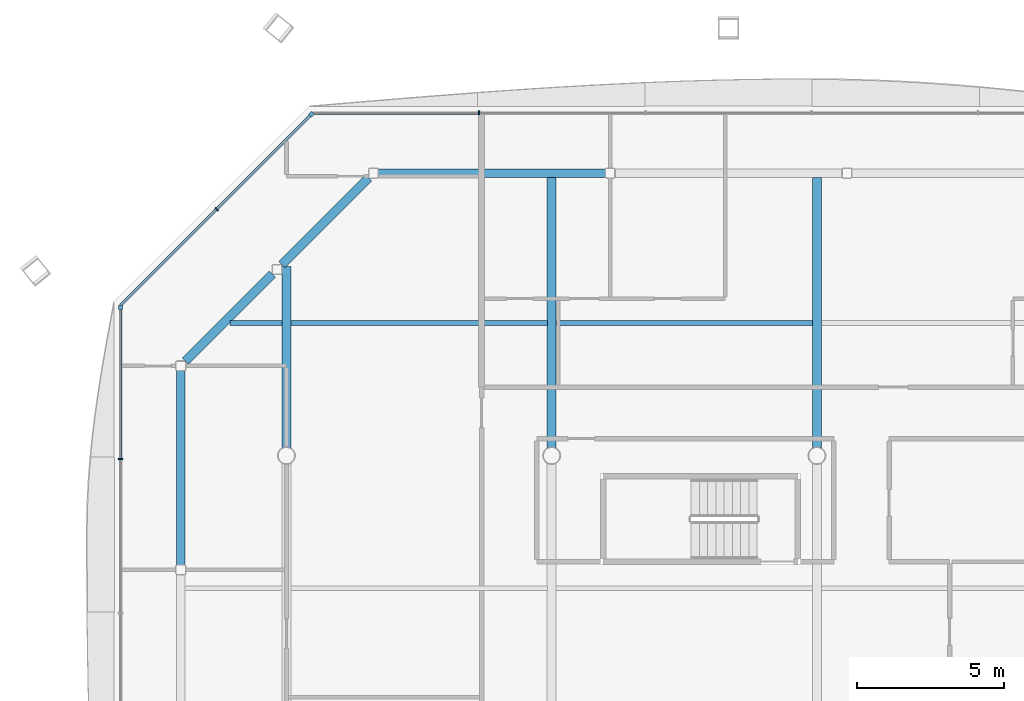
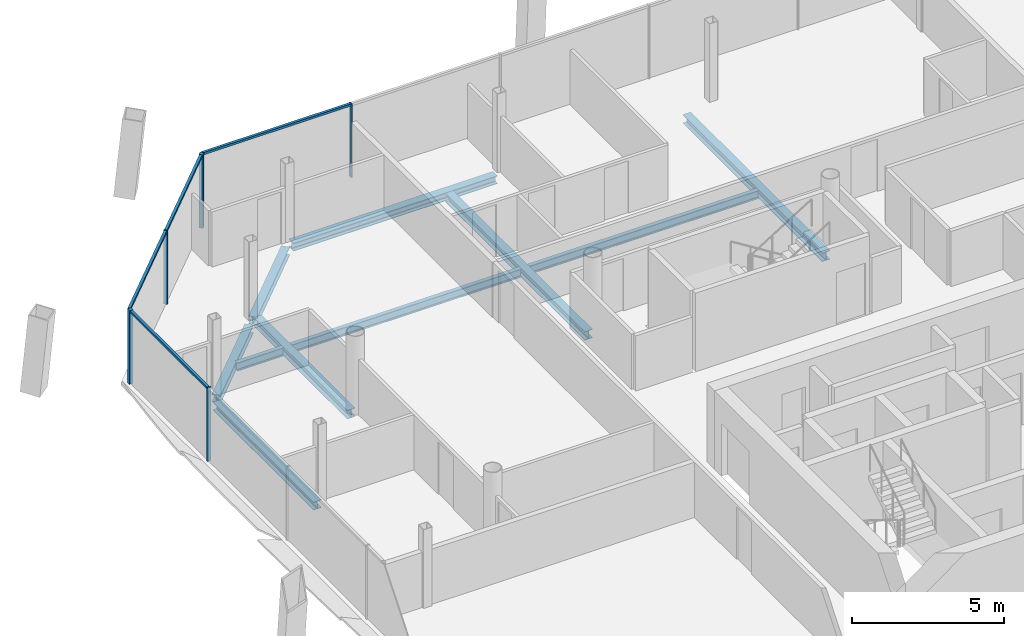
# One storey, part 10 of 20: 10 beams, 9 members, 3 elements without a shape of their own.
"""IFC4 building model written with IfcOpenShell, lengths in metres."""

import ifcopenshell
import ifcopenshell.guid

model = None  # the IFC model being written
_history = None  # IfcOwnerHistory: only IFC2X3 demands one
_inside = {}  # id of a spatial element -> (the spatial element, [elements in it])
_under = {}  # id of a project, library or spatial element -> (it, [spatial elements below it])
_declared = {}  # id of a project -> (the project, [libraries it declares])
_typed = {}  # id of a type object -> (the type object, [elements of that type])
_made_of = {}  # id of a material, layer set ... -> (it, [elements and type objects made of it])


def new_model(schema):
    """Start an empty IFC model of exactly this schema.

    Asked for "IFC4X3", IfcOpenShell would pick the latest addendum, in which some entities
    have other attributes; the version numbers below select the first issue.
    IFC2X3 requires an IfcOwnerHistory on every rooted entity: one is made here for all.
    """
    global model, _history
    if schema == "IFC4X3":
        model = ifcopenshell.file(schema_version=(4, 3, 0, 0))
    else:
        model = ifcopenshell.file(schema=schema)
    _inside.clear()
    _under.clear()
    _declared.clear()
    _typed.clear()
    _made_of.clear()
    _history = None
    if model.schema == "IFC2X3":
        org = make("IfcOrganization", Name="unknown")
        user = make(
            "IfcPersonAndOrganization",
            ThePerson=make("IfcPerson", FamilyName="unknown"),
            TheOrganization=org,
        )
        app = make(
            "IfcApplication",
            ApplicationDeveloper=org,
            Version="unknown",
            ApplicationFullName="unknown",
            ApplicationIdentifier="unknown",
        )
        _history = make(
            "IfcOwnerHistory",
            OwningUser=user,
            OwningApplication=app,
            ChangeAction="ADDED",
            CreationDate=0,
        )
    return model


def make(cls, **values):
    """One entity of the class cls with the attributes given. An attribute that is None is left unset."""
    return model.create_entity(
        cls, **{name: value for name, value in values.items() if value is not None}
    )


def rooted(cls, **values):
    """An entity with a GlobalId (a new one), such as an element, a storey or a relation."""
    return make(cls, GlobalId=ifcopenshell.guid.new(), OwnerHistory=_history, **values)


def si_unit(unit_type, name, prefix=None):
    """IfcSIUnit, for example si_unit("LENGTHUNIT", "METRE", prefix="MILLI")."""
    return make("IfcSIUnit", UnitType=unit_type, Prefix=prefix, Name=name)


def assignment(units):
    """IfcUnitAssignment: the units of a project."""
    return None if units is None else make("IfcUnitAssignment", Units=units)


def point(xyz):
    """IfcCartesianPoint."""
    return None if xyz is None else make("IfcCartesianPoint", Coordinates=xyz)


def direction(xyz):
    """IfcDirection."""
    return None if xyz is None else make("IfcDirection", DirectionRatios=xyz)


def frame(location, z_axis=None, x_axis=None):
    """IfcAxis2Placement3D, a coordinate frame: its origin and axes. An axis left out is left unset."""
    return make(
        "IfcAxis2Placement3D",
        Location=point(location),
        Axis=direction(z_axis),
        RefDirection=direction(x_axis),
    )


def frame_2d(location, x_axis=None):
    """IfcAxis2Placement2D, a coordinate frame in the plane: its origin and x axis."""
    return make(
        "IfcAxis2Placement2D", Location=point(location), RefDirection=direction(x_axis)
    )


def origin():
    """The frame at (0, 0, 0) with its axes left unset."""
    return frame((0.0, 0.0, 0.0))


def origin_2d():
    """The frame at (0, 0) in the plane with its x axis left unset."""
    return frame_2d((0.0, 0.0))


def place(relative_to, where):
    """IfcLocalPlacement: puts the frame where relative to a parent placement (None: the world)."""
    return make(
        "IfcLocalPlacement", PlacementRelTo=relative_to, RelativePlacement=where
    )


def context(
    kind, dimensions, precision=None, world=None, true_north=None, identifier=None
):
    """IfcGeometricRepresentationContext, for example the 3D "Model" context."""
    return make(
        "IfcGeometricRepresentationContext",
        ContextIdentifier=identifier,
        ContextType=kind,
        CoordinateSpaceDimension=dimensions,
        Precision=precision,
        WorldCoordinateSystem=world,
        TrueNorth=true_north,
    )


def subcontext(parent, identifier, kind, view, scale=None):
    """IfcGeometricRepresentationSubContext, for example "Body" below "Model"."""
    return make(
        "IfcGeometricRepresentationSubContext",
        ContextIdentifier=identifier,
        ContextType=kind,
        ParentContext=parent,
        TargetScale=scale,
        TargetView=view,
    )


def project(units=None, contexts=None):
    """IfcProject with its units and contexts."""
    return rooted(
        "IfcProject",
        Name="project",
        RepresentationContexts=contexts,
        UnitsInContext=assignment(units),
    )


def spatial(cls, under=None, at=None, **own):
    """A site, building, storey or space (cls), placed at a placement, below another one or the project."""
    s = rooted(cls, ObjectPlacement=at, **own)
    if under is not None:
        _under.setdefault(under.id(), (under, []))[1].append(s)
    return s


def profile(cls, at=None, kind="AREA", **sizes):
    """A parametric profile (cls). Its sizes go by their IFC names, for example OverallWidth=200.0."""
    return make(cls, ProfileType=kind, Position=at, **sizes)


def rectangle(**sizes):
    """IfcRectangleProfileDef."""
    return profile("IfcRectangleProfileDef", **sizes)


def i_section(**sizes):
    """IfcIShapeProfileDef."""
    return profile("IfcIShapeProfileDef", **sizes)


def extrude(swept, where, along, depth):
    """IfcExtrudedAreaSolid: the profile swept, set in the frame where, extruded along a direction by depth."""
    return make(
        "IfcExtrudedAreaSolid",
        SweptArea=swept,
        Position=where,
        ExtrudedDirection=direction(along),
        Depth=depth,
    )


def shape(context_of_items, identifier, shape_type, items):
    """IfcShapeRepresentation: the items that make up one representation, for example the "Body"."""
    return make(
        "IfcShapeRepresentation",
        ContextOfItems=context_of_items,
        RepresentationIdentifier=identifier,
        RepresentationType=shape_type,
        Items=items,
    )


def material(Name=None, Category=None):
    """IfcMaterial."""
    return make("IfcMaterial", Name=Name, Category=Category)


def material_profile(
    of_material, cross_section, Name=None, Category=None, Priority=None
):
    """IfcMaterialProfile: a cross section and its material."""
    return make(
        "IfcMaterialProfile",
        Name=Name,
        Material=of_material,
        Profile=cross_section,
        Priority=Priority,
        Category=Category,
    )


def profile_set(profiles, Name=None, composite=None):
    """IfcMaterialProfileSet."""
    return make(
        "IfcMaterialProfileSet",
        Name=Name,
        MaterialProfiles=profiles,
        CompositeProfile=composite,
    )


def made_of(thing, what):
    """Note that an element or type object is made of a material, layer set ...; save() writes the relation."""
    if what is not None:
        _made_of.setdefault(what.id(), (what, []))[1].append(thing)
    return thing


def type_object(cls, material=None, **own):
    """A type object (cls), such as IfcWallType, which elements share."""
    return made_of(rooted(cls, **own), material)


def element(
    cls,
    number,
    at=None,
    inside=None,
    cuts=None,
    type_object=None,
    material=None,
    context=None,
    identifier="Body",
    shape_type=None,
    held_by="IfcProductDefinitionShape",
    body=None,
    shapes=None,
    **own,
):
    """One element of the class cls, such as IfcWall. Its Tag is "e" and its number.

    at: its placement. inside: the storey or other place that contains it. cuts: it is an
    opening in that element (IfcRelVoidsElement). A single representation is given by context,
    identifier, shape_type and body (its items); several are given by shapes. held_by: the class
    of the entity that holds the representations. save() writes the other relations.
    """
    e = rooted(cls, Tag="e%d" % number, ObjectPlacement=at, **own)
    if body is not None:
        shapes = [shape(context, identifier, shape_type, body)]
    if shapes is not None:
        e.Representation = make(held_by, Representations=shapes)
    if inside is not None:
        _inside.setdefault(inside.id(), (inside, []))[1].append(e)
    if cuts is not None:
        rooted(
            "IfcRelVoidsElement", RelatingBuildingElement=cuts, RelatedOpeningElement=e
        )
    if type_object is not None:
        _typed.setdefault(type_object.id(), (type_object, []))[1].append(e)
    return made_of(e, material)


def aggregate(whole, parts):
    """IfcRelAggregates: a whole, such as a stair, and the parts it consists of."""
    return rooted("IfcRelAggregates", RelatingObject=whole, RelatedObjects=parts)


def save(model, path):
    """Write the relations noted so far, then the file.

    IfcRelAggregates (storeys below a building ...), IfcRelContainedInSpatialStructure (elements
    in a storey), IfcRelDefinesByType, IfcRelAssociatesMaterial and IfcRelDeclares: one each for
    every whole, place, type object, material and project.
    """
    for whole, parts in _under.values():
        aggregate(whole, parts)
    for where, things in _inside.values():
        rooted(
            "IfcRelContainedInSpatialStructure",
            RelatedElements=things,
            RelatingStructure=where,
        )
    for kind, things in _typed.values():
        rooted("IfcRelDefinesByType", RelatedObjects=things, RelatingType=kind)
    for what, things in _made_of.values():
        rooted("IfcRelAssociatesMaterial", RelatedObjects=things, RelatingMaterial=what)
    for by, libraries in _declared.values():
        rooted("IfcRelDeclares", RelatingContext=by, RelatedDefinitions=libraries)
    model.write(path)


model = new_model("IFC4")

# Units and contexts
model_context = context("Model", 3, precision=1e-05, world=origin(), true_north=direction((0.0, 1.0)))
body_context = subcontext(model_context, "Body", "Model", "MODEL_VIEW")
ifc_project = project(units=[si_unit("LENGTHUNIT", "METRE"), si_unit("AREAUNIT", "SQUARE_METRE"), si_unit("VOLUMEUNIT", "CUBIC_METRE"), si_unit("PLANEANGLEUNIT", "RADIAN"), si_unit("MASSUNIT", "GRAM", prefix="KILO")], contexts=[model_context])

# Site, building, storey
site_placement = place(None, origin())
site = spatial("IfcSite", under=ifc_project, at=site_placement, CompositionType="ELEMENT")
building_placement = place(site_placement, origin())
building = spatial("IfcBuilding", under=site, at=building_placement, Name="Tskaro Facet Tower", CompositionType="ELEMENT")
storey_placement = place(building_placement, frame((0.0, 0.0, 184.800048828125)))
storey = spatial("IfcBuildingStorey", under=building, at=storey_placement, Name="L46", CompositionType="ELEMENT", Elevation=184.800048828125)

# Curtain wall, member
ifc_material_1 = material(Name="Bronze anodised aluminium 6063-T6", Category="aluminium")
curtain_wall_type = type_object("IfcCurtainWallType", Name="Bronze residence curtain wall (FW3)", PredefinedType="NOTDEFINED", material=ifc_material_1)
curtain_wall_1_placement = place(storey_placement, origin())
curtain_wall_1 = element("IfcCurtainWall", 1, at=curtain_wall_1_placement, inside=storey, type_object=curtain_wall_type, Name="FW3 north-west facet L46", PredefinedType="NOTDEFINED")
ifc_material_profile_1 = material_profile(ifc_material_1, rectangle(XDim=0.139892578125, YDim=0.139892578125, at=origin_2d()), Name="Corner post 140x140")
ifc_profile_set_1 = profile_set([ifc_material_profile_1], Name="Bronze anodised aluminium 6063-T6")
member_type_1 = type_object("IfcMemberType", Name="FW3 bronze corner post 140x140", PredefinedType="MULLION", material=ifc_profile_set_1)
member_1_placement = place(storey_placement, frame((-17.1494140625, 20.57861328125, 0.0), z_axis=(0.0, 0.0, 1.0), x_axis=(-0.707106781187, -0.707106781187, 0.0)))
member_1 = element("IfcMember", 2, at=member_1_placement, type_object=member_type_1, Name="FW3 north-west corner post", PredefinedType="MULLION", context=body_context, shape_type="SweptSolid", body=[
    extrude(rectangle(XDim=0.139892578125, YDim=0.139892578125, at=origin_2d()), origin(), (0.0, 0.0, 1.0), 2.949951171875),
])

curtain_wall_2_placement = place(storey_placement, origin())
curtain_wall_2 = element("IfcCurtainWall", 3, at=curtain_wall_2_placement, inside=storey, type_object=curtain_wall_type, Name="FW3 west facet L46", PredefinedType="NOTDEFINED")
member_2_placement = place(storey_placement, frame((-23.6279296875, 14.030029296875, 0.0), z_axis=(0.0, 0.0, 1.0), x_axis=(0.0, -1.0, 0.0)))
member_2 = element("IfcMember", 4, at=member_2_placement, type_object=member_type_1, Name="FW3 west corner post", PredefinedType="MULLION", context=body_context, shape_type="SweptSolid", body=[
    extrude(rectangle(XDim=0.139892578125, YDim=0.139892578125, at=origin_2d()), origin(), (0.0, 0.0, 1.0), 2.949951171875),
])

curtain_wall_3_placement = place(storey_placement, origin())
curtain_wall_3 = element("IfcCurtainWall", 5, at=curtain_wall_3_placement, inside=storey, type_object=curtain_wall_type, Name="FW3 north facet L46", PredefinedType="NOTDEFINED")
ifc_material_profile_2 = material_profile(ifc_material_1, rectangle(XDim=0.050048828125, YDim=0.139892578125, at=origin_2d()), Name="Mullion 50x140")
ifc_profile_set_2 = profile_set([ifc_material_profile_2], Name="Bronze anodised aluminium 6063-T6")
member_type_2 = type_object("IfcMemberType", Name="FW3 bronze mullion 50x140", PredefinedType="MULLION", material=ifc_profile_set_2)
member_3_placement = place(storey_placement, frame((-11.4599609375, 20.6279296875, 0.0), z_axis=(0.0, 0.0, 1.0), x_axis=(-1.0, 0.0, 0.0)))
member_3 = element("IfcMember", 6, at=member_3_placement, type_object=member_type_2, Name="FW3 north mullion 4", PredefinedType="MULLION", context=body_context, shape_type="SweptSolid", body=[
    extrude(rectangle(XDim=0.050048828125, YDim=0.139892578125, at=origin_2d()), origin(), (0.0, 0.0, 1.0), 2.949951171875),
])

# Member
member_4_placement = place(storey_placement, frame((-20.364013671875, 17.364013671875, 0.0), z_axis=(0.0, 0.0, 1.0), x_axis=(-0.707106781187, -0.707106781187, 0.0)))
member_4 = element("IfcMember", 7, at=member_4_placement, type_object=member_type_2, Name="FW3 north-west mullion 1", PredefinedType="MULLION", context=body_context, shape_type="SweptSolid", body=[
    extrude(rectangle(XDim=0.050048828125, YDim=0.139892578125, at=origin_2d()), origin(), (0.0, 0.0, 1.0), 2.949951171875),
])

member_5_placement = place(storey_placement, frame((-23.6279296875, 8.8818359375, 0.0), z_axis=(0.0, 0.0, 1.0), x_axis=(0.0, -1.0, 0.0)))
member_5 = element("IfcMember", 8, at=member_5_placement, type_object=member_type_2, Name="FW3 west mullion 1", PredefinedType="MULLION", context=body_context, shape_type="SweptSolid", body=[
    extrude(rectangle(XDim=0.050048828125, YDim=0.139892578125, at=origin_2d()), origin(), (0.0, 0.0, 1.0), 2.949951171875),
])

ifc_material_profile_3 = material_profile(ifc_material_1, rectangle(XDim=0.10009765625, YDim=0.090087890625, at=origin_2d()), Name="Transom 100x90")
ifc_profile_set_3 = profile_set([ifc_material_profile_3], Name="Bronze anodised aluminium 6063-T6")
member_type_3 = type_object("IfcMemberType", Name="FW3 bronze transom 100x90", PredefinedType="USERDEFINED", material=ifc_profile_set_3)
member_6_placement = place(storey_placement, frame((-11.485107421875, 20.6279296875, 2.905029296875), z_axis=(-1.0, 0.0, 0.0), x_axis=(0.0, -1.0, 0.0)))
member_6 = element("IfcMember", 9, at=member_6_placement, type_object=member_type_3, Name="FW3 north transom 5.1", ObjectType="TRANSOM", PredefinedType="USERDEFINED", context=body_context, shape_type="SweptSolid", body=[
    extrude(rectangle(XDim=0.10009765625, YDim=0.090087890625, at=origin_2d()), origin(), (0.0, 0.0, 1.0), 5.614990234375),
])

aggregate(curtain_wall_3, [member_3, member_6])

member_7_placement = place(storey_placement, frame((-17.198974609375, 20.529052734375, 2.905029296875), z_axis=(-0.707106781187, -0.707106781187, 0.0), x_axis=(0.707106781187, -0.707106781187, 0.0)))
member_7 = element("IfcMember", 10, at=member_7_placement, type_object=member_type_3, Name="FW3 north-west transom 1.1", ObjectType="TRANSOM", PredefinedType="USERDEFINED", context=body_context, shape_type="SweptSolid", body=[
    extrude(rectangle(XDim=0.10009765625, YDim=0.090087890625, at=origin_2d()), origin(), (0.0, 0.0, 1.0), 4.451171875),
])

member_8_placement = place(storey_placement, frame((-20.381591796875, 17.346435546875, 2.905029296875), z_axis=(-0.707106781187, -0.707106781187, 0.0), x_axis=(0.707106781187, -0.707106781187, 0.0)))
member_8 = element("IfcMember", 11, at=member_8_placement, type_object=member_type_3, Name="FW3 north-west transom 2.1", ObjectType="TRANSOM", PredefinedType="USERDEFINED", context=body_context, shape_type="SweptSolid", body=[
    extrude(rectangle(XDim=0.10009765625, YDim=0.090087890625, at=origin_2d()), origin(), (0.0, 0.0, 1.0), 4.591064453125),
])

aggregate(curtain_wall_1, [member_1, member_4, member_7, member_8])

member_9_placement = place(storey_placement, frame((-23.6279296875, 13.9599609375, 2.905029296875), z_axis=(0.0, -1.0, 0.0), x_axis=(1.0, 0.0, 0.0)))
member_9 = element("IfcMember", 12, at=member_9_placement, type_object=member_type_3, Name="FW3 west transom 1.1", ObjectType="TRANSOM", PredefinedType="USERDEFINED", context=body_context, shape_type="SweptSolid", body=[
    extrude(rectangle(XDim=0.10009765625, YDim=0.090087890625, at=origin_2d()), origin(), (0.0, 0.0, 1.0), 5.05322265625),
])

aggregate(curtain_wall_2, [member_2, member_5, member_9])

# Beams
ifc_material_2 = material(Name="Steel S355J2", Category="steel")
ifc_material_profile_4 = material_profile(ifc_material_2, i_section(OverallWidth=0.300048828125, OverallDepth=0.320068359375, WebThickness=0.011474609375, FlangeThickness=0.0205078125, FilletRadius=0.027099609375, at=origin_2d()), Name="HE 320 B")
ifc_profile_set_4 = profile_set([ifc_material_profile_4], Name="Steel S355J2")
beam_type_1 = type_object("IfcBeamType", Name="HE 320 B ring beam", PredefinedType="BEAM", material=ifc_profile_set_4)
beam_1_placement = place(storey_placement, frame((-7.169921875, 18.5830078125, -0.300048828125), z_axis=(-1.0, 0.0, 0.0), x_axis=(0.0, -1.0, 0.0)))
element("IfcBeam", 13, at=beam_1_placement, inside=storey, type_object=beam_type_1, Name="HE 320 B EB14-4", PredefinedType="BEAM", context=body_context, shape_type="SweptSolid", body=[
    extrude(i_section(OverallWidth=0.300048828125, OverallDepth=0.320068359375, WebThickness=0.011474609375, FlangeThickness=0.0205078125, FilletRadius=0.027099609375, at=origin_2d()), origin(), (0.0, 0.0, 1.0), 7.72119140625),
])
for number, where, z_axis, x_axis, name in (
    (14, (-15.206787109375, 18.422119140625, -0.300048828125), (-0.706989603829, -0.70722393913, 0.0), (0.70722393913, -0.706989603829, 0.0), "HE 320 B EB15-4"),
    (15, (-18.474853515625, 15.153076171875, -0.300048828125), (-0.70722393913, -0.706989603829, 0.0), (0.706989603829, -0.70722393913, 0.0), "HE 320 B EB16-4"),
):
    element("IfcBeam", number, at=place(storey_placement, frame(where, z_axis=z_axis, x_axis=x_axis)), inside=storey, type_object=beam_type_1, Name=name, PredefinedType="BEAM", context=body_context, shape_type="SweptSolid", body=[
        extrude(i_section(OverallWidth=0.300048828125, OverallDepth=0.320068359375, WebThickness=0.011474609375, FlangeThickness=0.0205078125, FilletRadius=0.027099609375, at=origin_2d()), origin(), (0.0, 0.0, 1.0), 4.16748046875),
    ])
beam_2_placement = place(storey_placement, frame((-21.5830078125, 11.89111328125, -0.300048828125), z_axis=(0.0, -1.0, 0.0), x_axis=(1.0, 0.0, 0.0)))
element("IfcBeam", 16, at=beam_2_placement, inside=storey, type_object=beam_type_1, Name="HE 320 B EB17-4", PredefinedType="BEAM", context=body_context, shape_type="SweptSolid", body=[
    extrude(i_section(OverallWidth=0.300048828125, OverallDepth=0.320068359375, WebThickness=0.011474609375, FlangeThickness=0.0205078125, FilletRadius=0.027099609375, at=origin_2d()), origin(), (0.0, 0.0, 1.0), 6.610107421875),
])
ifc_material_profile_5 = material_profile(ifc_material_2, i_section(OverallWidth=0.300048828125, OverallDepth=0.35009765625, WebThickness=0.010009765625, FlangeThickness=0.017578125, FilletRadius=0.027099609375, at=origin_2d()), Name="HE 360 A")
ifc_profile_set_5 = profile_set([ifc_material_profile_5], Name="Steel S355J2")
beam_type_2 = type_object("IfcBeamType", Name="HE 360 A girder", PredefinedType="BEAM", material=ifc_profile_set_5)
beam_3_placement = place(storey_placement, frame((-18.0, 9.27490234375, -0.31494140625), z_axis=(0.0, 1.0, 0.0), x_axis=(-1.0, 0.0, 0.0)))
element("IfcBeam", 17, at=beam_3_placement, inside=storey, type_object=beam_type_2, Name="HE 360 A GB2-4-4", PredefinedType="BEAM", context=body_context, shape_type="SweptSolid", body=[
    extrude(i_section(OverallWidth=0.300048828125, OverallDepth=0.35009765625, WebThickness=0.010009765625, FlangeThickness=0.017578125, FilletRadius=0.027099609375, at=origin_2d()), origin(), (0.0, 0.0, 1.0), 6.14208984375),
])
for number, where, z_axis, x_axis, name in (
    (18, (-9.0, 9.27490234375, -0.31494140625), (0.0, 1.0, 0.0), (-1.0, 0.0, 0.0), "HE 360 A GB3-3-4"),
    (19, (0.0, 9.27490234375, -0.31494140625), (0.0, 1.0, 0.0), (-1.0, 0.0, 0.0), "HE 360 A GB4-3-4"),
):
    element("IfcBeam", number, at=place(storey_placement, frame(where, z_axis=z_axis, x_axis=x_axis)), inside=storey, type_object=beam_type_2, Name=name, PredefinedType="BEAM", context=body_context, shape_type="SweptSolid", body=[
        extrude(i_section(OverallWidth=0.300048828125, OverallDepth=0.35009765625, WebThickness=0.010009765625, FlangeThickness=0.017578125, FilletRadius=0.027099609375, at=origin_2d()), origin(), (0.0, 0.0, 1.0), 9.158203125),
    ])
ifc_material_profile_6 = material_profile(ifc_material_2, i_section(OverallWidth=0.159912109375, OverallDepth=0.330078125, WebThickness=0.007568359375, FlangeThickness=0.011474609375, FilletRadius=0.01806640625, at=origin_2d()), Name="IPE 330")
ifc_profile_set_6 = profile_set([ifc_material_profile_6], Name="Steel S355J2")
beam_type_3 = type_object("IfcBeamType", Name="IPE 330 secondary beam", PredefinedType="BEAM", material=ifc_profile_set_6)
beam_4_placement = place(storey_placement, frame((-19.9169921875, 13.5, -0.304931640625), z_axis=(1.0, 0.0, 0.0), x_axis=(0.0, 1.0, 0.0)))
element("IfcBeam", 20, at=beam_4_placement, inside=storey, type_object=beam_type_3, Name="IPE 330 SB5a-1-4", PredefinedType="BEAM", context=body_context, shape_type="SweptSolid", body=[
    extrude(i_section(OverallWidth=0.159912109375, OverallDepth=0.330078125, WebThickness=0.007568359375, FlangeThickness=0.011474609375, FilletRadius=0.01806640625, at=origin_2d()), origin(), (0.0, 0.0, 1.0), 1.76708984375),
])
for number, where, z_axis, x_axis, name in (
    (21, (-17.85009765625, 13.5, -0.304931640625), (1.0, 0.0, 0.0), (0.0, 1.0, 0.0), "IPE 330 SB5a-2-4"),
    (22, (-8.85009765625, 13.5, -0.304931640625), (1.0, 0.0, 0.0), (0.0, 1.0, 0.0), "IPE 330 SB5a-3-4"),
):
    element("IfcBeam", number, at=place(storey_placement, frame(where, z_axis=z_axis, x_axis=x_axis)), inside=storey, type_object=beam_type_3, Name=name, PredefinedType="BEAM", context=body_context, shape_type="SweptSolid", body=[
        extrude(i_section(OverallWidth=0.159912109375, OverallDepth=0.330078125, WebThickness=0.007568359375, FlangeThickness=0.011474609375, FilletRadius=0.01806640625, at=origin_2d()), origin(), (0.0, 0.0, 1.0), 8.7001953125),
    ])

save(model, "model.ifc")
